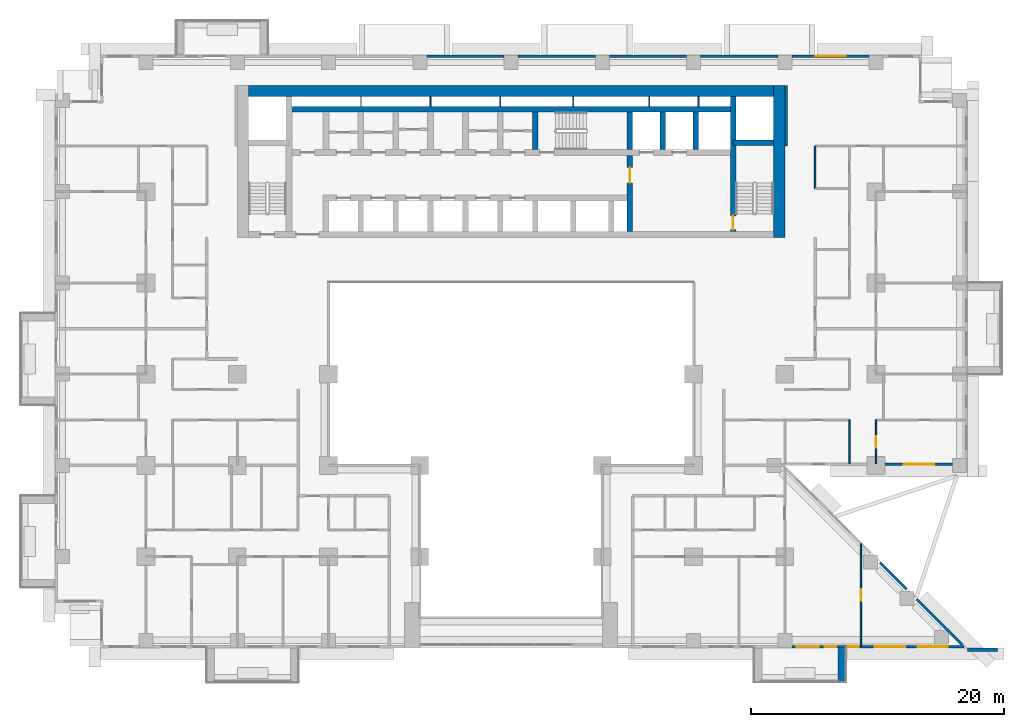
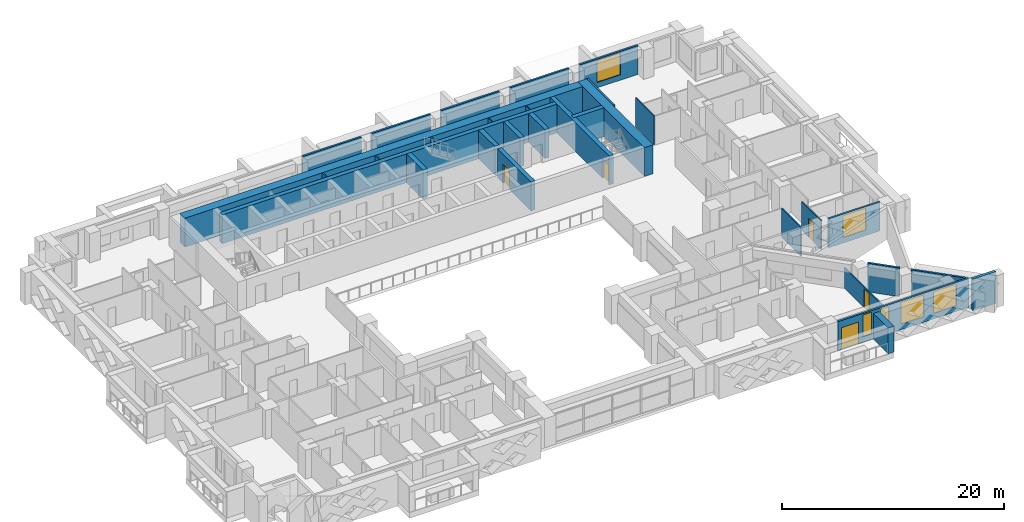
# One storey, part 11 of 17: 31 walls, 6 windows, 5 doors, 11 openings.
"""IFC4 building model written with IfcOpenShell, lengths in metres."""

from ifc_helpers import new_model, si_unit, direction, frame, frame_2d, origin, place, context, subcontext, project, spatial, rectangle, extrude, material, layer, layer_set, type_object, element, fill, save


model = new_model("IFC4")

# Units and contexts
model_context = context("Model", 3, precision=1e-05, world=origin(), true_north=direction((0.0, 1.0)))
body_context = subcontext(model_context, "Body", "Model", "MODEL_VIEW")
ifc_project = project(units=[si_unit("LENGTHUNIT", "METRE"), si_unit("AREAUNIT", "SQUARE_METRE"), si_unit("VOLUMEUNIT", "CUBIC_METRE"), si_unit("PLANEANGLEUNIT", "RADIAN"), si_unit("MASSUNIT", "GRAM", prefix="KILO")], contexts=[model_context])

# Site, building, storey
site_placement = place(None, origin())
site = spatial("IfcSite", under=ifc_project, at=site_placement, CompositionType="ELEMENT")
building_placement = place(site_placement, origin())
building = spatial("IfcBuilding", under=site, at=building_placement, Name="Saffron Iwan Residences", CompositionType="ELEMENT")
storey_placement = place(building_placement, frame((0.0, 0.0, 51.5)))
storey = spatial("IfcBuildingStorey", under=building, at=storey_placement, Name="L12", CompositionType="ELEMENT", Elevation=51.5)

# Walls
ifc_material_1 = material(Name="Concrete C50/60 white painted", Category="concrete")
ifc_layer_1 = layer(ifc_material_1, 0.60009765625)
ifc_layer_set_1 = layer_set([ifc_layer_1], Name="Concrete C50/60 white painted")
wall_type_1 = type_object("IfcWallType", Name="BALCONY FIN 600", PredefinedType="SOLIDWALL", material=ifc_layer_set_1)
wall_1_placement = place(storey_placement, frame((76.5, 33.550048828125, 0.0), z_axis=(0.0, 0.0, 1.0), x_axis=(0.0, -1.0, 0.0)))
element("IfcWall", 1, at=wall_1_placement, inside=storey, type_object=wall_type_1, Name="Balcony fin L12 11-1b", PredefinedType="SOLIDWALL", context=body_context, shape_type="SweptSolid", body=[
    extrude(rectangle(XDim=2.650146484375, YDim=0.60009765625, at=frame_2d((1.3251953125, 0.0))), origin(), (0.0, 0.0, 1.0), 2.85009765625),
])
ifc_material_2 = material(Name="Concrete C40/50", Category="concrete")
ifc_layer_2 = layer(ifc_material_2, 0.199951171875)
ifc_layer_set_2 = layer_set([ifc_layer_2], Name="Concrete C40/50")
wall_type_2 = type_object("IfcWallType", Name="EXTERNAL WALL 200", PredefinedType="SOLIDWALL", material=ifc_layer_set_2)
wall_2_placement = place(storey_placement, frame((85.995849609375, 33.862548828125, 0.0), z_axis=(0.0, 0.0, 1.0), x_axis=(-0.7070827891, 0.707130772459, 0.0)))
element("IfcWall", 2, at=wall_2_placement, inside=storey, type_object=wall_type_2, Name="External wall L12 F0.0", PredefinedType="SOLIDWALL", context=body_context, shape_type="SweptSolid", body=[
    extrude(rectangle(XDim=5.088134765625, YDim=0.199951171875, at=frame_2d((2.5439453125, 0.0))), origin(), (0.0, 0.0, 1.0), 3.179931640625),
])
wall_3_placement = place(storey_placement, frame((81.620361328125, 38.23828125, 0.0), z_axis=(0.0, 0.0, 1.0), x_axis=(-0.707106781187, 0.707106781187, 0.0)))
element("IfcWall", 3, at=wall_3_placement, inside=storey, type_object=wall_type_2, Name="External wall L12 F0.1", PredefinedType="SOLIDWALL", context=body_context, shape_type="SweptSolid", body=[
    extrude(rectangle(XDim=2.97265625, YDim=0.199951171875, at=frame_2d((1.486328125, 0.0))), origin(), (0.0, 0.0, 1.0), 3.179931640625),
])

# Wall, opening, window
wall_4_placement = place(storey_placement, frame((79.89990234375, 48.10009765625, 0.0), z_axis=(0.0, 0.0, 1.0), x_axis=(1.0, 0.0, 0.0)))
wall_4 = element("IfcWall", 4, at=wall_4_placement, inside=storey, type_object=wall_type_2, Name="External wall L12 F1.1", PredefinedType="SOLIDWALL", context=body_context, shape_type="SweptSolid", body=[
    extrude(rectangle(XDim=5.35009765625, YDim=0.199951171875, at=frame_2d((2.675048828125, 0.0))), origin(), (0.0, 0.0, 1.0), 3.179931640625),
])
opening_1_placement = place(wall_4_placement, frame((1.47509765625, 0.0, 0.60009765625)))
opening_1 = element("IfcOpeningElement", 5, at=opening_1_placement, cuts=wall_4, Name="Opening W1", PredefinedType="OPENING", context=body_context, shape_type="SweptSolid", body=[
    extrude(rectangle(XDim=2.39990234375, YDim=2.39990234375, at=frame_2d((1.199951171875, 1.199951171875))), frame((0.0, 0.10986328125, 0.0), z_axis=(0.0, -1.0, 0.0), x_axis=(1.0, 0.0, 0.0)), (0.0, 0.0, 1.0), 0.219970703125),
])
ifc_material_3 = material(Name="Clear glass, laminated double glazed", Category="glass")
window_type_1 = type_object("IfcWindowType", Name="WINDOW 2400 x 2400", PartitioningType="DOUBLE_PANEL_VERTICAL", PredefinedType="WINDOW", material=ifc_material_3)
window_1_placement = place(opening_1_placement, origin())
window_1 = element("IfcWindow", 6, at=window_1_placement, inside=storey, type_object=window_type_1, Name="Window L12 F1.0", OverallHeight=2.39990234375, OverallWidth=2.39990234375, PartitioningType="DOUBLE_PANEL_VERTICAL", PredefinedType="WINDOW", context=body_context, shape_type="SweptSolid", body=[
    extrude(rectangle(XDim=2.39990234375, YDim=2.39990234375, at=frame_2d((1.199951171875, 1.199951171875))), frame((0.0, 0.030029296875, 0.0), z_axis=(0.0, -1.0, 0.0), x_axis=(1.0, 0.0, 0.0)), (0.0, 0.0, 1.0), 0.06005859375),
])
fill(opening_1, window_1)

wall_5_placement = place(storey_placement, frame((78.64990234375, 80.300048828125, 0.0), z_axis=(0.0, 0.0, 1.0), x_axis=(-1.0, 0.0, 0.0)))
wall_5 = element("IfcWall", 7, at=wall_5_placement, inside=storey, type_object=wall_type_2, Name="External wall L12 F5.1", PredefinedType="SOLIDWALL", context=body_context, shape_type="SweptSolid", body=[
    extrude(rectangle(XDim=6.099853515625, YDim=0.199951171875, at=frame_2d((3.0498046875, 0.0))), origin(), (0.0, 0.0, 1.0), 3.179931640625),
])
opening_2_placement = place(wall_5_placement, frame((1.85009765625, 0.0, 0.60009765625)))
opening_2 = element("IfcOpeningElement", 8, at=opening_2_placement, cuts=wall_5, Name="Opening W1", PredefinedType="OPENING", context=body_context, shape_type="SweptSolid", body=[
    extrude(rectangle(XDim=2.39990234375, YDim=2.39990234375, at=frame_2d((1.199951171875, 1.199951171875))), frame((0.0, 0.10986328125, 0.0), z_axis=(0.0, -1.0, 0.0), x_axis=(1.0, 0.0, 0.0)), (0.0, 0.0, 1.0), 0.219970703125),
])
window_2_placement = place(opening_2_placement, origin())
window_2 = element("IfcWindow", 9, at=window_2_placement, inside=storey, type_object=window_type_1, Name="Window L12 F5.0", OverallHeight=2.39990234375, OverallWidth=2.39990234375, PartitioningType="DOUBLE_PANEL_VERTICAL", PredefinedType="WINDOW", context=body_context, shape_type="SweptSolid", body=[
    extrude(rectangle(XDim=2.39990234375, YDim=2.39990234375, at=frame_2d((1.199951171875, 1.199951171875))), frame((0.0, 0.030029296875, 0.0), z_axis=(0.0, -1.0, 0.0), x_axis=(1.0, 0.0, 0.0)), (0.0, 0.0, 1.0), 0.06005859375),
])
fill(opening_2, window_2)

# Walls
wall_6_placement = place(storey_placement, frame((71.449951171875, 80.300048828125, 0.0), z_axis=(0.0, 0.0, 1.0), x_axis=(-1.0, 0.0, 0.0)))
element("IfcWall", 10, at=wall_6_placement, inside=storey, type_object=wall_type_2, Name="External wall L12 F5.2", PredefinedType="SOLIDWALL", context=body_context, shape_type="SweptSolid", body=[
    extrude(rectangle(XDim=6.099853515625, YDim=0.199951171875, at=frame_2d((3.0498046875, 0.0))), origin(), (0.0, 0.0, 1.0), 3.179931640625),
])
for number, where, z_axis, x_axis, name in (
    (11, (64.25, 80.300048828125, 0.0), (0.0, 0.0, 1.0), (-1.0, 0.0, 0.0), "External wall L12 F5.3"),
    (12, (57.050048828125, 80.300048828125, 0.0), (0.0, 0.0, 1.0), (-1.0, 0.0, 0.0), "External wall L12 F5.4"),
    (13, (49.85009765625, 80.300048828125, 0.0), (0.0, 0.0, 1.0), (-1.0, 0.0, 0.0), "External wall L12 F5.5"),
):
    element("IfcWall", number, at=place(storey_placement, frame(where, z_axis=z_axis, x_axis=x_axis)), inside=storey, type_object=wall_type_2, Name=name, PredefinedType="SOLIDWALL", context=body_context, shape_type="SweptSolid", body=[
        extrude(rectangle(XDim=6.10009765625, YDim=0.199951171875, at=frame_2d((3.050048828125, 0.0))), origin(), (0.0, 0.0, 1.0), 3.179931640625),
    ])

# Wall, openings, door, windows
wall_7_placement = place(storey_placement, frame((72.550048828125, 33.699951171875, 0.0), z_axis=(0.0, 0.0, 1.0), x_axis=(1.0, 0.0, 0.0)))
wall_7 = element("IfcWall", 14, at=wall_7_placement, inside=storey, type_object=wall_type_2, Name="External wall L12 F11.6", PredefinedType="SOLIDWALL", context=body_context, shape_type="SweptSolid", body=[
    extrude(rectangle(XDim=13.608642578125, YDim=0.199951171875, at=frame_2d((6.80419921875, 0.0))), origin(), (0.0, 0.0, 1.0), 3.179931640625),
])
opening_3_placement = place(wall_7_placement, frame((0.35009765625, 0.0, 0.0)))
opening_3 = element("IfcOpeningElement", 15, at=opening_3_placement, cuts=wall_7, Name="Opening BD1", PredefinedType="OPENING", context=body_context, shape_type="SweptSolid", body=[
    extrude(rectangle(XDim=1.800048828125, YDim=2.39990234375, at=frame_2d((0.89990234375, 1.199951171875))), frame((0.0, 0.10986328125, 0.0), z_axis=(0.0, -1.0, 0.0), x_axis=(1.0, 0.0, 0.0)), (0.0, 0.0, 1.0), 0.219970703125),
])
opening_4_placement = place(wall_7_placement, frame((2.60009765625, 0.0, 0.60009765625)))
opening_4 = element("IfcOpeningElement", 16, at=opening_4_placement, cuts=wall_7, Name="Opening W10", PredefinedType="OPENING", context=body_context, shape_type="SweptSolid", body=[
    extrude(rectangle(XDim=0.89990234375, YDim=2.39990234375, at=frame_2d((0.449951171875, 1.199951171875))), frame((0.0, 0.10986328125, 0.0), z_axis=(0.0, -1.0, 0.0), x_axis=(1.0, 0.0, 0.0)), (0.0, 0.0, 1.0), 0.219970703125),
])
opening_5_placement = place(wall_7_placement, frame((4.39990234375, 0.0, 0.60009765625)))
opening_5 = element("IfcOpeningElement", 17, at=opening_5_placement, cuts=wall_7, Name="Opening W10", PredefinedType="OPENING", context=body_context, shape_type="SweptSolid", body=[
    extrude(rectangle(XDim=0.89990234375, YDim=2.39990234375, at=frame_2d((0.449951171875, 1.199951171875))), frame((0.0, 0.10986328125, 0.0), z_axis=(0.0, -1.0, 0.0), x_axis=(1.0, 0.0, 0.0)), (0.0, 0.0, 1.0), 0.219970703125),
])
opening_6_placement = place(wall_7_placement, frame((6.5361328125, 0.0, 0.60009765625)))
opening_6 = element("IfcOpeningElement", 18, at=opening_6_placement, cuts=wall_7, Name="Opening W1", PredefinedType="OPENING", context=body_context, shape_type="SweptSolid", body=[
    extrude(rectangle(XDim=2.39990234375, YDim=2.39990234375, at=frame_2d((1.199951171875, 1.199951171875))), frame((0.0, 0.10986328125, 0.0), z_axis=(0.0, -1.0, 0.0), x_axis=(1.0, 0.0, 0.0)), (0.0, 0.0, 1.0), 0.219970703125),
])
opening_7_placement = place(wall_7_placement, frame((9.92236328125, 0.0, 0.60009765625)))
opening_7 = element("IfcOpeningElement", 19, at=opening_7_placement, cuts=wall_7, Name="Opening W1", PredefinedType="OPENING", context=body_context, shape_type="SweptSolid", body=[
    extrude(rectangle(XDim=2.39990234375, YDim=2.39990234375, at=frame_2d((1.199951171875, 1.199951171875))), frame((0.0, 0.10986328125, 0.0), z_axis=(0.0, -1.0, 0.0), x_axis=(1.0, 0.0, 0.0)), (0.0, 0.0, 1.0), 0.219970703125),
])
door_type_1 = type_object("IfcDoorType", Name="BALCONY DOOR 1800 x 2400", OperationType="DOUBLE_DOOR_SLIDING", PredefinedType="DOOR", material=ifc_material_3)
door_1_placement = place(opening_3_placement, origin())
door_1 = element("IfcDoor", 20, at=door_1_placement, inside=storey, type_object=door_type_1, Name="Balcony door L12 F11.0", OperationType="DOUBLE_DOOR_SLIDING", OverallHeight=2.39990234375, OverallWidth=1.800048828125, PredefinedType="DOOR", context=body_context, shape_type="SweptSolid", body=[
    extrude(rectangle(XDim=1.800048828125, YDim=2.39990234375, at=frame_2d((0.89990234375, 1.199951171875))), frame((0.0, 0.02490234375, 0.0), z_axis=(0.0, -1.0, 0.0), x_axis=(1.0, 0.0, 0.0)), (0.0, 0.0, 1.0), 0.050048828125),
])
fill(opening_3, door_1)
window_3_placement = place(opening_6_placement, origin())
window_3 = element("IfcWindow", 21, at=window_3_placement, inside=storey, type_object=window_type_1, Name="Window L12 F11.3", OverallHeight=2.39990234375, OverallWidth=2.39990234375, PartitioningType="DOUBLE_PANEL_VERTICAL", PredefinedType="WINDOW", context=body_context, shape_type="SweptSolid", body=[
    extrude(rectangle(XDim=2.39990234375, YDim=2.39990234375, at=frame_2d((1.199951171875, 1.199951171875))), frame((0.0, 0.030029296875, 0.0), z_axis=(0.0, -1.0, 0.0), x_axis=(1.0, 0.0, 0.0)), (0.0, 0.0, 1.0), 0.06005859375),
])
fill(opening_6, window_3)
window_4_placement = place(opening_7_placement, origin())
window_4 = element("IfcWindow", 22, at=window_4_placement, inside=storey, type_object=window_type_1, Name="Window L12 F11.4", OverallHeight=2.39990234375, OverallWidth=2.39990234375, PartitioningType="DOUBLE_PANEL_VERTICAL", PredefinedType="WINDOW", context=body_context, shape_type="SweptSolid", body=[
    extrude(rectangle(XDim=2.39990234375, YDim=2.39990234375, at=frame_2d((1.199951171875, 1.199951171875))), frame((0.0, 0.030029296875, 0.0), z_axis=(0.0, -1.0, 0.0), x_axis=(1.0, 0.0, 0.0)), (0.0, 0.0, 1.0), 0.06005859375),
])
fill(opening_7, window_4)
window_type_2 = type_object("IfcWindowType", Name="WINDOW 900 x 2400", PartitioningType="SINGLE_PANEL", PredefinedType="WINDOW", material=ifc_material_3)
window_5_placement = place(opening_4_placement, origin())
window_5 = element("IfcWindow", 23, at=window_5_placement, inside=storey, type_object=window_type_2, Name="Window L12 F11.1", OverallHeight=2.39990234375, OverallWidth=0.89990234375, PartitioningType="SINGLE_PANEL", PredefinedType="WINDOW", context=body_context, shape_type="SweptSolid", body=[
    extrude(rectangle(XDim=0.89990234375, YDim=2.39990234375, at=frame_2d((0.449951171875, 1.199951171875))), frame((0.0, 0.030029296875, 0.0), z_axis=(0.0, -1.0, 0.0), x_axis=(1.0, 0.0, 0.0)), (0.0, 0.0, 1.0), 0.06005859375),
])
fill(opening_4, window_5)
window_6_placement = place(opening_5_placement, origin())
window_6 = element("IfcWindow", 24, at=window_6_placement, inside=storey, type_object=window_type_2, Name="Window L12 F11.2", OverallHeight=2.39990234375, OverallWidth=0.89990234375, PartitioningType="SINGLE_PANEL", PredefinedType="WINDOW", context=body_context, shape_type="SweptSolid", body=[
    extrude(rectangle(XDim=0.89990234375, YDim=2.39990234375, at=frame_2d((0.449951171875, 1.199951171875))), frame((0.0, 0.030029296875, 0.0), z_axis=(0.0, -1.0, 0.0), x_axis=(1.0, 0.0, 0.0)), (0.0, 0.0, 1.0), 0.06005859375),
])
fill(opening_5, window_6)

# Walls
ifc_material_4 = material(Name="Gypsum board partition")
ifc_layer_3 = layer(ifc_material_4, 0.1201171875)
ifc_layer_set_3 = layer_set([ifc_layer_3], Name="Gypsum board partition")
wall_type_3 = type_object("IfcWallType", Name="Flat partition 120", PredefinedType="PARTITIONING", material=ifc_layer_set_3)
wall_8_placement = place(storey_placement, frame((74.39990234375, 69.85009765625, 0.0), z_axis=(0.0, 0.0, 1.0), x_axis=(0.0, 1.0, 0.0)))
element("IfcWall", 25, at=wall_8_placement, inside=storey, type_object=wall_type_3, Name="W-L12-PART-v74.4-69.85", PredefinedType="PARTITIONING", context=body_context, shape_type="SweptSolid", body=[
    extrude(rectangle(XDim=3.349853515625, YDim=0.1201171875, at=frame_2d((1.6748046875, 0.0))), origin(), (0.0, 0.0, 1.0), 3.179931640625),
])
wall_9_placement = place(storey_placement, frame((77.10009765625, 48.125, 0.0), z_axis=(0.0, 0.0, 1.0), x_axis=(0.0, 1.0, 0.0)))
element("IfcWall", 26, at=wall_9_placement, inside=storey, type_object=wall_type_3, Name="W-L12-PART-v77.1-48.125", PredefinedType="PARTITIONING", context=body_context, shape_type="SweptSolid", body=[
    extrude(rectangle(XDim=3.47509765625, YDim=0.1201171875, at=frame_2d((1.737548828125, 0.0))), origin(), (0.0, 0.0, 1.0), 3.179931640625),
])

# Wall, opening, door
wall_10_placement = place(storey_placement, frame((78.0, 33.72509765625, 0.0), z_axis=(0.0, 0.0, 1.0), x_axis=(0.0, 1.0, 0.0)))
wall_10 = element("IfcWall", 27, at=wall_10_placement, inside=storey, type_object=wall_type_3, Name="W-L12-PART-v78-33.725", PredefinedType="PARTITIONING", context=body_context, shape_type="SweptSolid", body=[
    extrude(rectangle(XDim=8.097900390625, YDim=0.1201171875, at=frame_2d((4.048828125, 0.0))), origin(), (0.0, 0.0, 1.0), 2.280029296875),
])
opening_8_placement = place(wall_10_placement, frame((3.59912109375, 0.0, 0.0)))
opening_8 = element("IfcOpeningElement", 28, at=opening_8_placement, cuts=wall_10, Name="Opening FD2", PredefinedType="OPENING", context=body_context, shape_type="SweptSolid", body=[
    extrude(rectangle(XDim=0.89990234375, YDim=2.10009765625, at=frame_2d((0.449951171875, 1.050048828125))), frame((0.0, 0.070068359375, 0.0), z_axis=(0.0, -1.0, 0.0), x_axis=(1.0, 0.0, 0.0)), (0.0, 0.0, 1.0), 0.14013671875),
])
ifc_material_5 = material(Name="Timber door", Category="wood")
door_type_2 = type_object("IfcDoorType", Name="Flat door 900", OperationType="NOTDEFINED", PredefinedType="DOOR", material=ifc_material_5)
door_2_placement = place(opening_8_placement, origin())
door_2 = element("IfcDoor", 29, at=door_2_placement, inside=storey, type_object=door_type_2, Name="Door L12-052", OperationType="SINGLE_SWING_RIGHT", OverallHeight=2.10009765625, OverallWidth=0.89990234375, PredefinedType="DOOR", context=body_context, shape_type="SweptSolid", body=[
    extrude(rectangle(XDim=0.89990234375, YDim=2.10009765625, at=frame_2d((0.449951171875, 1.050048828125))), frame((0.0, 0.02490234375, 0.0), z_axis=(0.0, -1.0, 0.0), x_axis=(1.0, 0.0, 0.0)), (0.0, 0.0, 1.0), 0.050048828125),
])
fill(opening_8, door_2)

wall_11_placement = place(storey_placement, frame((79.199951171875, 48.125, 0.0), z_axis=(0.0, 0.0, 1.0), x_axis=(0.0, 1.0, 0.0)))
wall_11 = element("IfcWall", 30, at=wall_11_placement, inside=storey, type_object=wall_type_3, Name="W-L12-PART-v79.2-48.125", PredefinedType="PARTITIONING", context=body_context, shape_type="SweptSolid", body=[
    extrude(rectangle(XDim=3.47509765625, YDim=0.1201171875, at=frame_2d((1.737548828125, 0.0))), origin(), (0.0, 0.0, 1.0), 3.179931640625),
])
opening_9_placement = place(wall_11_placement, frame((1.28759765625, 0.0, 0.0)))
opening_9 = element("IfcOpeningElement", 31, at=opening_9_placement, cuts=wall_11, Name="Opening FD2", PredefinedType="OPENING", context=body_context, shape_type="SweptSolid", body=[
    extrude(rectangle(XDim=0.89990234375, YDim=2.10009765625, at=frame_2d((0.449951171875, 1.050048828125))), frame((0.0, 0.070068359375, 0.0), z_axis=(0.0, -1.0, 0.0), x_axis=(1.0, 0.0, 0.0)), (0.0, 0.0, 1.0), 0.14013671875),
])
door_3_placement = place(opening_9_placement, origin())
door_3 = element("IfcDoor", 32, at=door_3_placement, inside=storey, type_object=door_type_2, Name="Door L12-022", OperationType="SINGLE_SWING_RIGHT", OverallHeight=2.10009765625, OverallWidth=0.89990234375, PredefinedType="DOOR", context=body_context, shape_type="SweptSolid", body=[
    extrude(rectangle(XDim=0.89990234375, YDim=2.10009765625, at=frame_2d((0.449951171875, 1.050048828125))), frame((0.0, 0.02490234375, 0.0), z_axis=(0.0, -1.0, 0.0), x_axis=(1.0, 0.0, 0.0)), (0.0, 0.0, 1.0), 0.050048828125),
])
fill(opening_9, door_3)

# Walls
ifc_material_6 = material(Name="Fire-rated gypsum board wall")
ifc_layer_4 = layer(ifc_material_6, 0.199951171875)
ifc_layer_set_4 = layer_set([ifc_layer_4], Name="Fire-rated gypsum board wall")
wall_type_4 = type_object("IfcWallType", Name="Gallery wall 200", PredefinedType="SOLIDWALL", material=ifc_layer_set_4)
wall_12_placement = place(storey_placement, frame((72.10009765625, 73.199951171875, 0.0), z_axis=(0.0, 0.0, 1.0), x_axis=(0.0, 1.0, 0.0)))
element("IfcWall", 33, at=wall_12_placement, inside=storey, type_object=wall_type_4, Name="W-L12-CORR-v72-73.2", PredefinedType="SOLIDWALL", context=body_context, shape_type="SweptSolid", body=[
    extrude(rectangle(XDim=4.800048828125, YDim=0.199951171875, at=frame_2d((2.39990234375, 0.0))), origin(), (0.0, 0.0, 1.0), 3.179931640625),
])
ifc_layer_5 = layer(ifc_material_1, 0.300048828125)
ifc_layer_set_5 = layer_set([ifc_layer_5], Name="Concrete C50/60 white painted")
wall_type_5 = type_object("IfcWallType", Name="PROW BLADE 300", PredefinedType="SOLIDWALL", material=ifc_layer_set_5)
wall_13_placement = place(storey_placement, frame((86.39990234375, 33.449951171875, -0.320068359375), z_axis=(0.0, 0.0, 1.0), x_axis=(1.0, 0.0, 0.0)))
element("IfcWall", 34, at=wall_13_placement, inside=storey, type_object=wall_type_5, Name="Prow blade L12", PredefinedType="SOLIDWALL", context=body_context, shape_type="SweptSolid", body=[
    extrude(rectangle(XDim=2.400146484375, YDim=0.300048828125, at=frame_2d((1.2001953125, 0.0))), origin(), (0.0, 0.0, 1.0), 3.5),
])
ifc_material_7 = material(Name="Fire-rated plasterboard partition")
ifc_layer_6 = layer(ifc_material_7, 0.10009765625)
ifc_layer_set_6 = layer_set([ifc_layer_6], Name="Fire-rated plasterboard partition")
wall_type_6 = type_object("IfcWallType", Name="Riser partition 100", PredefinedType="PARTITIONING", material=ifc_layer_set_6)
for number, where, z_axis, x_axis, name in (
    (35, (44.050048828125, 76.324951171875, 0.0), (0.0, 0.0, 1.0), (0.0, 1.0, 0.0), "Core partition P07"),
    (36, (49.550048828125, 76.324951171875, 0.0), (0.0, 0.0, 1.0), (0.0, 1.0, 0.0), "Core partition P08"),
    (37, (55.300048828125, 76.324951171875, 0.0), (0.0, 0.0, 1.0), (0.0, 1.0, 0.0), "Core partition P09"),
    (38, (61.300048828125, 76.324951171875, 0.0), (0.0, 0.0, 1.0), (0.0, 1.0, 0.0), "Core partition P10"),
    (39, (65.199951171875, 76.324951171875, 0.0), (0.0, 0.0, 1.0), (0.0, 1.0, 0.0), "Core partition P11"),
):
    element("IfcWall", number, at=place(storey_placement, frame(where, z_axis=z_axis, x_axis=x_axis)), inside=storey, type_object=wall_type_6, Name=name, PredefinedType="PARTITIONING", context=body_context, shape_type="SweptSolid", body=[
        extrude(rectangle(XDim=0.775146484375, YDim=0.10009765625, at=frame_2d((0.3876953125, 0.0))), origin(), (0.0, 0.0, 1.0), 3.179931640625),
    ])
ifc_material_8 = material(Name="Concrete C60/75", Category="concrete")
ifc_layer_7 = layer(ifc_material_8, 0.449951171875)
ifc_layer_set_7 = layer_set([ifc_layer_7], Name="Concrete C60/75")
wall_type_7 = type_object("IfcWallType", Name="WALL CORE 450 C60/75 3180 HIGH", PredefinedType="SHEAR", material=ifc_layer_set_7)
wall_14_placement = place(storey_placement, frame((32.875, 76.10009765625, 0.0), z_axis=(0.0, 0.0, 1.0), x_axis=(1.0, 0.0, 0.0)))
element("IfcWall", 40, at=wall_14_placement, inside=storey, type_object=wall_type_7, Name="Core wall", PredefinedType="SHEAR", context=body_context, shape_type="SweptSolid", body=[
    extrude(rectangle(XDim=35.050048828125, YDim=0.449951171875, at=frame_2d((17.52490234375, 0.0))), origin(), (0.0, 0.0, 1.0), 3.179931640625),
])
wall_15_placement = place(storey_placement, frame((67.925048828125, 73.47509765625, 0.0), z_axis=(0.0, 0.0, 1.0), x_axis=(1.0, 0.0, 0.0)))
element("IfcWall", 41, at=wall_15_placement, inside=storey, type_object=wall_type_7, Name="Core wall", PredefinedType="SHEAR", context=body_context, shape_type="SweptSolid", body=[
    extrude(rectangle(XDim=3.175048828125, YDim=0.449951171875, at=frame_2d((1.58740234375, 0.0))), origin(), (0.0, 0.0, 1.0), 3.179931640625),
])

# Wall, opening, door
wall_16_placement = place(storey_placement, frame((67.925048828125, 66.449951171875, 0.0), z_axis=(0.0, 0.0, 1.0), x_axis=(0.0, 1.0, 0.0)))
wall_16 = element("IfcWall", 42, at=wall_16_placement, inside=storey, type_object=wall_type_7, Name="Core wall", PredefinedType="SHEAR", context=body_context, shape_type="SweptSolid", body=[
    extrude(rectangle(XDim=10.650146484375, YDim=0.449951171875, at=frame_2d((5.3251953125, 0.0))), origin(), (0.0, 0.0, 1.0), 3.179931640625),
])
opening_10_placement = place(wall_16_placement, frame((0.14990234375, 0.0, 0.0)))
opening_10 = element("IfcOpeningElement", 43, at=opening_10_placement, cuts=wall_16, Name="Opening SD", PredefinedType="OPENING", context=body_context, shape_type="SweptSolid", body=[
    extrude(rectangle(XDim=1.10009765625, YDim=2.10009765625, at=frame_2d((0.550048828125, 1.050048828125))), frame((0.0, 0.23486328125, 0.0), z_axis=(0.0, -1.0, 0.0), x_axis=(1.0, 0.0, 0.0)), (0.0, 0.0, 1.0), 0.469970703125),
])
ifc_material_9 = material(Name="Steel fire door", Category="steel")
door_type_3 = type_object("IfcDoorType", Name="Stair door 1100", OperationType="NOTDEFINED", PredefinedType="DOOR", material=ifc_material_9)
door_4_placement = place(opening_10_placement, origin())
door_4 = element("IfcDoor", 44, at=door_4_placement, inside=storey, type_object=door_type_3, Name="Stair door ST-E", OperationType="SINGLE_SWING_LEFT", OverallHeight=2.10009765625, OverallWidth=1.10009765625, PredefinedType="DOOR", context=body_context, shape_type="SweptSolid", body=[
    extrude(rectangle(XDim=1.10009765625, YDim=2.10009765625, at=frame_2d((0.550048828125, 1.050048828125))), frame((0.0, 0.02490234375, 0.0), z_axis=(0.0, -1.0, 0.0), x_axis=(1.0, 0.0, 0.0)), (0.0, 0.0, 1.0), 0.050048828125),
])
fill(opening_10, door_4)

wall_17_placement = place(storey_placement, frame((59.77490234375, 66.449951171875, 0.0), z_axis=(0.0, 0.0, 1.0), x_axis=(0.0, 1.0, 0.0)))
wall_17 = element("IfcWall", 45, at=wall_17_placement, inside=storey, type_object=wall_type_7, Name="Core wall", PredefinedType="SHEAR", context=body_context, shape_type="SweptSolid", body=[
    extrude(rectangle(XDim=6.025146484375, YDim=0.449951171875, at=frame_2d((3.0126953125, 0.0))), origin(), (0.0, 0.0, 1.0), 3.179931640625),
])
opening_11_placement = place(wall_17_placement, frame((3.85009765625, 0.0, 0.0)))
opening_11 = element("IfcOpeningElement", 46, at=opening_11_placement, cuts=wall_17, Name="Opening FD", PredefinedType="OPENING", context=body_context, shape_type="SweptSolid", body=[
    extrude(rectangle(XDim=1.199951171875, YDim=2.10009765625, at=frame_2d((0.60009765625, 1.050048828125))), frame((0.0, 0.23486328125, 0.0), z_axis=(0.0, -1.0, 0.0), x_axis=(1.0, 0.0, 0.0)), (0.0, 0.0, 1.0), 0.469970703125),
])
door_type_4 = type_object("IfcDoorType", Name="Firefighting lobby door 1200", OperationType="NOTDEFINED", PredefinedType="DOOR", material=ifc_material_9)
door_5_placement = place(opening_11_placement, origin())
door_5 = element("IfcDoor", 47, at=door_5_placement, inside=storey, type_object=door_type_4, Name="Firefighting lobby door", OperationType="SINGLE_SWING_RIGHT", OverallHeight=2.10009765625, OverallWidth=1.199951171875, PredefinedType="DOOR", context=body_context, shape_type="SweptSolid", body=[
    extrude(rectangle(XDim=1.199951171875, YDim=2.10009765625, at=frame_2d((0.60009765625, 1.050048828125))), frame((0.0, 0.02490234375, 0.0), z_axis=(0.0, -1.0, 0.0), x_axis=(1.0, 0.0, 0.0)), (0.0, 0.0, 1.0), 0.050048828125),
])
fill(opening_11, door_5)

# Walls
for number, where, z_axis, x_axis, name in (
    (48, (59.77490234375, 72.925048828125, 0.0), (0.0, 0.0, 1.0), (0.0, 1.0, 0.0), "Core wall"),
    (49, (52.300048828125, 72.925048828125, 0.0), (0.0, 0.0, 1.0), (0.0, 1.0, 0.0), "Core wall"),
    (50, (62.375, 72.925048828125, 0.0), (0.0, 0.0, 1.0), (0.0, 1.0, 0.0), "Core wall"),
    (51, (64.97509765625, 72.925048828125, 0.0), (0.0, 0.0, 1.0), (0.0, 1.0, 0.0), "Core wall"),
):
    element("IfcWall", number, at=place(storey_placement, frame(where, z_axis=z_axis, x_axis=x_axis)), inside=storey, type_object=wall_type_7, Name=name, PredefinedType="SHEAR", context=body_context, shape_type="SweptSolid", body=[
        extrude(rectangle(XDim=2.949951171875, YDim=0.449951171875, at=frame_2d((1.47509765625, 0.0))), origin(), (0.0, 0.0, 1.0), 3.179931640625),
    ])
ifc_layer_8 = layer(ifc_material_8, 0.89990234375)
ifc_layer_set_8 = layer_set([ifc_layer_8], Name="Concrete C60/75")
wall_type_8 = type_object("IfcWallType", Name="WALL CORE 900 C60/75 3180 HIGH", PredefinedType="SHEAR", material=ifc_layer_set_8)
wall_18_placement = place(storey_placement, frame((71.550048828125, 66.0, 0.0), z_axis=(0.0, 0.0, 1.0), x_axis=(0.0, 1.0, 0.0)))
element("IfcWall", 52, at=wall_18_placement, inside=storey, type_object=wall_type_8, Name="Core wall", PredefinedType="SHEAR", context=body_context, shape_type="SweptSolid", body=[
    extrude(rectangle(XDim=12.0, YDim=0.89990234375, at=frame_2d((6.0, 0.0))), origin(), (0.0, 0.0, 1.0), 3.179931640625),
])
wall_19_placement = place(storey_placement, frame((29.699951171875, 77.550048828125, 0.0), z_axis=(0.0, 0.0, 1.0), x_axis=(1.0, 0.0, 0.0)))
element("IfcWall", 53, at=wall_19_placement, inside=storey, type_object=wall_type_8, Name="Core wall", PredefinedType="SHEAR", context=body_context, shape_type="SweptSolid", body=[
    extrude(rectangle(XDim=41.400146484375, YDim=0.89990234375, at=frame_2d((20.7001953125, 0.0))), origin(), (0.0, 0.0, 1.0), 3.179931640625),
])

save(model, "model.ifc")
